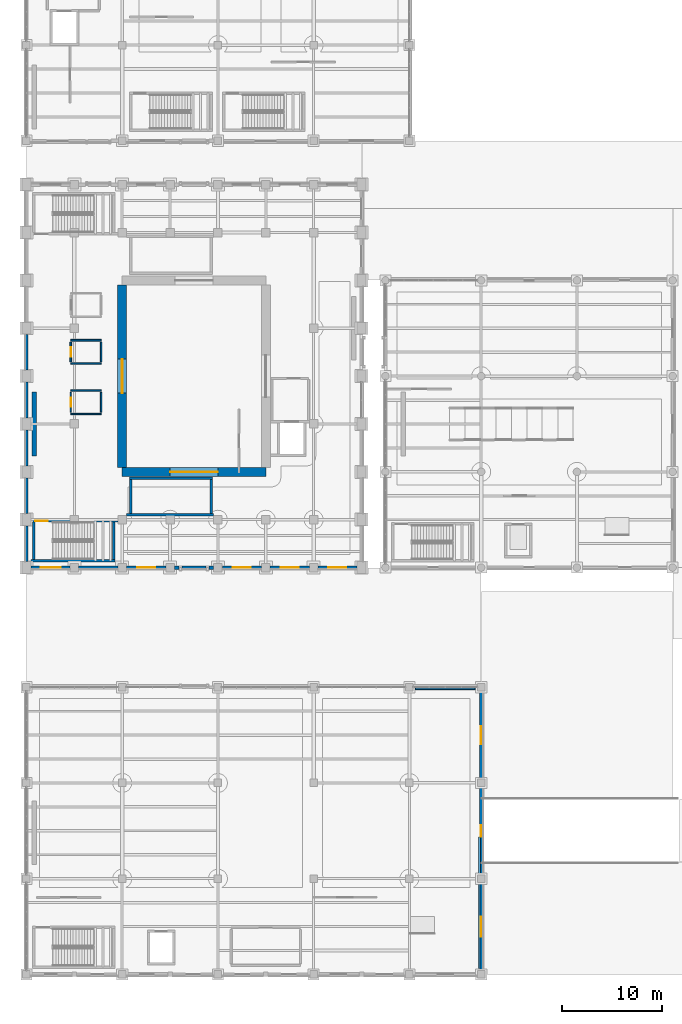
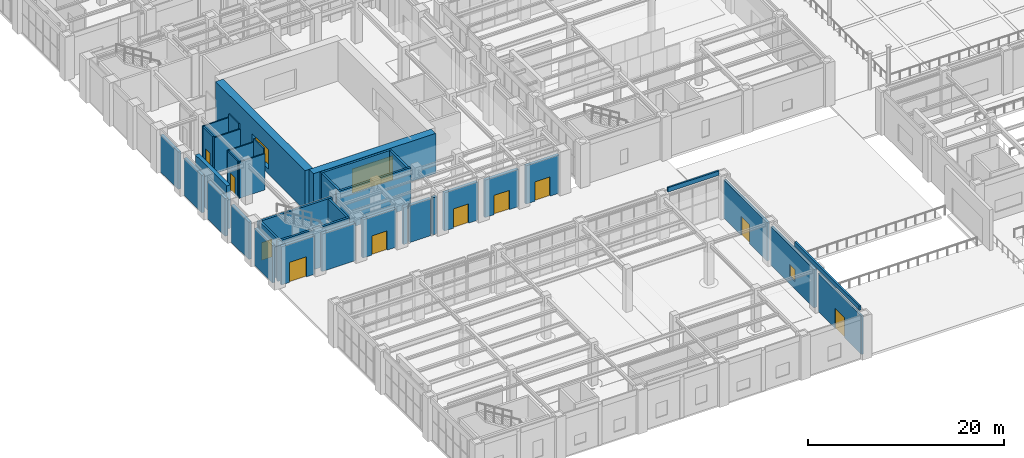
# One storey, part 129 of 164: 38 walls, 10 doors, 3 windows, 13 openings.
"""IFC4 building model written with IfcOpenShell, lengths in metres."""

from ifc_helpers import new_model, si_unit, direction, frame, frame_2d, origin, place, context, subcontext, project, spatial, rectangle, extrude, material, layer, layer_set, type_object, element, fill, save


model = new_model("IFC4")

# Units and contexts
model_context = context("Model", 3, precision=1e-05, world=origin(), true_north=direction((0.0, 1.0)))
body_context = subcontext(model_context, "Body", "Model", "MODEL_VIEW")
ifc_project = project(units=[si_unit("LENGTHUNIT", "METRE"), si_unit("AREAUNIT", "SQUARE_METRE"), si_unit("VOLUMEUNIT", "CUBIC_METRE"), si_unit("PLANEANGLEUNIT", "RADIAN"), si_unit("MASSUNIT", "GRAM", prefix="KILO")], contexts=[model_context])

# Site, building, storey
site_placement = place(None, origin())
site = spatial("IfcSite", under=ifc_project, at=site_placement, CompositionType="ELEMENT")
building_placement = place(site_placement, origin())
building = spatial("IfcBuilding", under=site, at=building_placement, Name="Mavantir Sound Aquarium", CompositionType="ELEMENT")
storey_placement = place(building_placement, origin())
storey = spatial("IfcBuildingStorey", under=building, at=storey_placement, Name="L00", CompositionType="ELEMENT", Elevation=0.0)

# Wall, opening, door
ifc_material_1 = material(Name="Coral-Buff Architectural Precast Concrete C40/50", Category="concrete")
ifc_layer_1 = layer(ifc_material_1, 0.31005859375, Name="Coral-Buff Architectural Precast Concrete C40/50")
ifc_layer_set_1 = layer_set([ifc_layer_1], Name="Coral-Buff Architectural Precast Concrete C40/50")
wall_type_1 = type_object("IfcWallType", Name="EW-CORAL-310", PredefinedType="SOLIDWALL", material=ifc_layer_set_1)
wall_1_placement = place(storey_placement, frame((45.60009765625, 19.5830078125, 0.0), z_axis=(0.0, 0.0, 1.0), x_axis=(0.0, 1.0, 0.0)))
wall_1 = element("IfcWall", 1, at=wall_1_placement, inside=storey, type_object=wall_type_1, Name="L00 exterior facade wall EW-02 74", PredefinedType="SOLIDWALL", context=body_context, shape_type="SweptSolid", body=[
    extrude(rectangle(XDim=8.833984375, YDim=0.31005859375, at=frame_2d((4.4169921875, 0.0))), origin(), (0.0, 0.0, 1.0), 4.778076171875),
])
opening_1_placement = place(wall_1_placement, frame((5.317138671875, 0.0, 0.0), z_axis=(0.0, 0.0, 1.0), x_axis=(-1.0, 0.0, 0.0)))
opening_1 = element("IfcOpeningElement", 2, at=opening_1_placement, cuts=wall_1, Name="Opening EXD-02", PredefinedType="OPENING", context=body_context, shape_type="SweptSolid", body=[
    extrude(rectangle(XDim=1.800048828125, YDim=2.39990234375, at=frame_2d((0.89990234375, 1.199951171875))), frame((0.0, 0.1650390625, 0.0), z_axis=(0.0, -1.0, 0.0), x_axis=(1.0, 0.0, 0.0)), (0.0, 0.0, 1.0), 0.330078125),
])
ifc_material_2 = material(Name="Marine-Grade Anodised Aluminium and Laminated Glass", Category="aluminium")
door_type_1 = type_object("IfcDoorType", Name="DR-EX-180", OperationType="NOTDEFINED", PredefinedType="DOOR", material=ifc_material_2)
door_1_placement = place(opening_1_placement, origin())
door_1 = element("IfcDoor", 3, at=door_1_placement, inside=storey, type_object=door_type_1, Name="V3 east apron exit door APRON-N1", OperationType="DOUBLE_DOOR_SINGLE_SWING", OverallHeight=2.39990234375, OverallWidth=1.800048828125, PredefinedType="DOOR", context=body_context, shape_type="SweptSolid", body=[
    extrude(rectangle(XDim=1.800048828125, YDim=2.39990234375, at=frame_2d((0.89990234375, 1.199951171875))), frame((0.0, 0.02490234375, 0.0), z_axis=(0.0, -1.0, 0.0), x_axis=(1.0, 0.0, 0.0)), (0.0, 0.0, 1.0), 0.050048828125),
])
fill(opening_1, door_1)

# Walls
ifc_layer_2 = layer(ifc_material_1, 0.340087890625, Name="Coral-Buff Architectural Precast Concrete C40/50")
ifc_layer_set_2 = layer_set([ifc_layer_2], Name="Coral-Buff Architectural Precast Concrete C40/50")
wall_type_2 = type_object("IfcWallType", Name="EW-CORAL-340", PredefinedType="SOLIDWALL", material=ifc_layer_set_2)
for number, where, z_axis, x_axis, name in (
    (4, (0.0, 64.19189453125, 0.0), (0.0, 0.0, 1.0), (0.0, -1.0, 0.0), "L00 exterior facade wall EW-01 49"),
    (5, (0.0, 59.39208984375, 0.0), (0.0, 0.0, 1.0), (0.0, -1.0, 0.0), "L00 exterior facade wall EW-01 50"),
    (6, (0.0, 54.592041015625, 0.0), (0.0, 0.0, 1.0), (0.0, -1.0, 0.0), "L00 exterior facade wall EW-01 51"),
    (7, (0.0, 49.7919921875, 0.0), (0.0, 0.0, 1.0), (0.0, -1.0, 0.0), "L00 exterior facade wall EW-01 52"),
    (8, (0.0, 44.991943359375, 0.0), (0.0, 0.0, 1.0), (0.0, -1.0, 0.0), "L00 exterior facade wall EW-01 53"),
):
    element("IfcWall", number, at=place(storey_placement, frame(where, z_axis=z_axis, x_axis=x_axis)), inside=storey, type_object=wall_type_2, Name=name, PredefinedType="SOLIDWALL", context=body_context, shape_type="SweptSolid", body=[
        extrude(rectangle(XDim=3.583984375, YDim=0.340087890625, at=frame_2d((1.7919921875, 0.0))), origin(), (0.0, 0.0, 1.0), 4.657958984375),
    ])

# Wall, opening, door
wall_2_placement = place(storey_placement, frame((0.4580078125, 40.800048828125, 0.0), z_axis=(0.0, 0.0, 1.0), x_axis=(1.0, 0.0, 0.0)))
wall_2 = element("IfcWall", 9, at=wall_2_placement, inside=storey, type_object=wall_type_2, Name="L00 exterior facade wall EW-01 54", PredefinedType="SOLIDWALL", context=body_context, shape_type="SweptSolid", body=[
    extrude(rectangle(XDim=3.908935546875, YDim=0.340087890625, at=frame_2d((1.95458984375, 0.0))), origin(), (0.0, 0.0, 1.0), 4.762939453125),
])
opening_2_placement = place(wall_2_placement, frame((2.95458984375, 0.0, 0.0), z_axis=(0.0, 0.0, 1.0), x_axis=(-1.0, 0.0, 0.0)))
opening_2 = element("IfcOpeningElement", 10, at=opening_2_placement, cuts=wall_2, Name="Opening EXD-01", PredefinedType="OPENING", context=body_context, shape_type="SweptSolid", body=[
    extrude(rectangle(XDim=2.0, YDim=2.5, at=frame_2d((1.0, 1.25))), frame((0.0, 0.18017578125, 0.0), z_axis=(0.0, -1.0, 0.0), x_axis=(1.0, 0.0, 0.0)), (0.0, 0.0, 1.0), 0.360107421875),
])
door_type_2 = type_object("IfcDoorType", Name="DR-EX-200", OperationType="NOTDEFINED", PredefinedType="DOOR", material=ifc_material_2)
door_2_placement = place(opening_2_placement, origin())
door_2 = element("IfcDoor", 11, at=door_2_placement, inside=storey, type_object=door_type_2, Name="Final exit door EX-01 (V1 ST1 discharge)", OperationType="DOUBLE_DOOR_SINGLE_SWING", OverallHeight=2.5, OverallWidth=2.0, PredefinedType="DOOR", context=body_context, shape_type="SweptSolid", body=[
    extrude(rectangle(XDim=2.0, YDim=2.5, at=frame_2d((1.0, 1.25))), frame((0.0, 0.02490234375, 0.0), z_axis=(0.0, -1.0, 0.0), x_axis=(1.0, 0.0, 0.0)), (0.0, 0.0, 1.0), 0.050048828125),
])
fill(opening_2, door_2)

# Wall
wall_3_placement = place(storey_placement, frame((5.23291015625, 40.800048828125, 0.0), z_axis=(0.0, 0.0, 1.0), x_axis=(1.0, 0.0, 0.0)))
element("IfcWall", 12, at=wall_3_placement, inside=storey, type_object=wall_type_2, Name="L00 exterior facade wall EW-01 55", PredefinedType="SOLIDWALL", context=body_context, shape_type="SweptSolid", body=[
    extrude(rectangle(XDim=3.93408203125, YDim=0.340087890625, at=frame_2d((1.967041015625, 0.0))), origin(), (0.0, 0.0, 1.0), 4.657958984375),
])

# Wall, opening, door
wall_4_placement = place(storey_placement, frame((10.032958984375, 40.800048828125, 0.0), z_axis=(0.0, 0.0, 1.0), x_axis=(1.0, 0.0, 0.0)))
wall_4 = element("IfcWall", 13, at=wall_4_placement, inside=storey, type_object=wall_type_2, Name="L00 exterior facade wall EW-01 56", PredefinedType="SOLIDWALL", context=body_context, shape_type="SweptSolid", body=[
    extrude(rectangle(XDim=3.93408203125, YDim=0.340087890625, at=frame_2d((1.967041015625, 0.0))), origin(), (0.0, 0.0, 1.0), 4.762939453125),
])
opening_3_placement = place(wall_4_placement, frame((2.866943359375, 0.0, 0.0), z_axis=(0.0, 0.0, 1.0), x_axis=(-1.0, 0.0, 0.0)))
opening_3 = element("IfcOpeningElement", 14, at=opening_3_placement, cuts=wall_4, Name="Opening EXD-02", PredefinedType="OPENING", context=body_context, shape_type="SweptSolid", body=[
    extrude(rectangle(XDim=1.800048828125, YDim=2.39990234375, at=frame_2d((0.89990234375, 1.199951171875))), frame((0.0, 0.18017578125, 0.0), z_axis=(0.0, -1.0, 0.0), x_axis=(1.0, 0.0, 0.0)), (0.0, 0.0, 1.0), 0.360107421875),
])
door_3_placement = place(opening_3_placement, origin())
door_3 = element("IfcDoor", 15, at=door_3_placement, inside=storey, type_object=door_type_1, Name="Final exit door EX-17 (V1)", OperationType="DOUBLE_DOOR_SINGLE_SWING", OverallHeight=2.39990234375, OverallWidth=1.800048828125, PredefinedType="DOOR", context=body_context, shape_type="SweptSolid", body=[
    extrude(rectangle(XDim=1.800048828125, YDim=2.39990234375, at=frame_2d((0.89990234375, 1.199951171875))), frame((0.0, 0.02490234375, 0.0), z_axis=(0.0, -1.0, 0.0), x_axis=(1.0, 0.0, 0.0)), (0.0, 0.0, 1.0), 0.050048828125),
])
fill(opening_3, door_3)

# Walls
wall_5_placement = place(storey_placement, frame((14.8330078125, 40.800048828125, 0.0), z_axis=(0.0, 0.0, 1.0), x_axis=(1.0, 0.0, 0.0)))
element("IfcWall", 16, at=wall_5_placement, inside=storey, type_object=wall_type_2, Name="L00 exterior facade wall EW-01 57", PredefinedType="SOLIDWALL", context=body_context, shape_type="SweptSolid", body=[
    extrude(rectangle(XDim=0.48388671875, YDim=0.340087890625, at=frame_2d((0.241943359375, 0.0))), origin(), (0.0, 0.0, 1.0), 4.62109375),
])
wall_6_placement = place(storey_placement, frame((15.5830078125, 40.800048828125, 0.0), z_axis=(0.0, 0.0, 1.0), x_axis=(1.0, 0.0, 0.0)))
element("IfcWall", 17, at=wall_6_placement, inside=storey, type_object=wall_type_2, Name="L00 exterior facade wall EW-01 58", PredefinedType="SOLIDWALL", context=body_context, shape_type="SweptSolid", body=[
    extrude(rectangle(XDim=2.43408203125, YDim=0.340087890625, at=frame_2d((1.217041015625, 0.0))), origin(), (0.0, 0.0, 1.0), 4.62109375),
])
wall_7_placement = place(storey_placement, frame((18.282958984375, 40.800048828125, 0.0), z_axis=(0.0, 0.0, 1.0), x_axis=(1.0, 0.0, 0.0)))
element("IfcWall", 18, at=wall_7_placement, inside=storey, type_object=wall_type_2, Name="L00 exterior facade wall EW-01 59", PredefinedType="SOLIDWALL", context=body_context, shape_type="SweptSolid", body=[
    extrude(rectangle(XDim=0.484130859375, YDim=0.340087890625, at=frame_2d((0.2421875, 0.0))), origin(), (0.0, 0.0, 1.0), 4.62109375),
])

# Wall, opening, door
wall_8_placement = place(storey_placement, frame((19.633056640625, 40.800048828125, 0.0), z_axis=(0.0, 0.0, 1.0), x_axis=(1.0, 0.0, 0.0)))
wall_8 = element("IfcWall", 19, at=wall_8_placement, inside=storey, type_object=wall_type_2, Name="L00 exterior facade wall EW-01 60", PredefinedType="SOLIDWALL", context=body_context, shape_type="SweptSolid", body=[
    extrude(rectangle(XDim=3.933837890625, YDim=0.340087890625, at=frame_2d((1.966796875, 0.0))), origin(), (0.0, 0.0, 1.0), 4.762939453125),
])
opening_4_placement = place(wall_8_placement, frame((2.866943359375, 0.0, 0.0), z_axis=(0.0, 0.0, 1.0), x_axis=(-1.0, 0.0, 0.0)))
opening_4 = element("IfcOpeningElement", 20, at=opening_4_placement, cuts=wall_8, Name="Opening EXD-02", PredefinedType="OPENING", context=body_context, shape_type="SweptSolid", body=[
    extrude(rectangle(XDim=1.800048828125, YDim=2.39990234375, at=frame_2d((0.89990234375, 1.199951171875))), frame((0.0, 0.18017578125, 0.0), z_axis=(0.0, -1.0, 0.0), x_axis=(1.0, 0.0, 0.0)), (0.0, 0.0, 1.0), 0.360107421875),
])
door_4_placement = place(opening_4_placement, origin())
door_4 = element("IfcDoor", 21, at=door_4_placement, inside=storey, type_object=door_type_1, Name="Final exit door EX-18 (V1)", OperationType="DOUBLE_DOOR_SINGLE_SWING", OverallHeight=2.39990234375, OverallWidth=1.800048828125, PredefinedType="DOOR", context=body_context, shape_type="SweptSolid", body=[
    extrude(rectangle(XDim=1.800048828125, YDim=2.39990234375, at=frame_2d((0.89990234375, 1.199951171875))), frame((0.0, 0.02490234375, 0.0), z_axis=(0.0, -1.0, 0.0), x_axis=(1.0, 0.0, 0.0)), (0.0, 0.0, 1.0), 0.050048828125),
])
fill(opening_4, door_4)

wall_9_placement = place(storey_placement, frame((24.43310546875, 40.800048828125, 0.0), z_axis=(0.0, 0.0, 1.0), x_axis=(1.0, 0.0, 0.0)))
wall_9 = element("IfcWall", 22, at=wall_9_placement, inside=storey, type_object=wall_type_2, Name="L00 exterior facade wall EW-01 61", PredefinedType="SOLIDWALL", context=body_context, shape_type="SweptSolid", body=[
    extrude(rectangle(XDim=3.933837890625, YDim=0.340087890625, at=frame_2d((1.966796875, 0.0))), origin(), (0.0, 0.0, 1.0), 4.657958984375),
])
opening_5_placement = place(wall_9_placement, frame((2.866943359375, 0.0, 0.0), z_axis=(0.0, 0.0, 1.0), x_axis=(-1.0, 0.0, 0.0)))
opening_5 = element("IfcOpeningElement", 23, at=opening_5_placement, cuts=wall_9, Name="Opening EXD-02", PredefinedType="OPENING", context=body_context, shape_type="SweptSolid", body=[
    extrude(rectangle(XDim=1.800048828125, YDim=2.39990234375, at=frame_2d((0.89990234375, 1.199951171875))), frame((0.0, 0.18017578125, 0.0), z_axis=(0.0, -1.0, 0.0), x_axis=(1.0, 0.0, 0.0)), (0.0, 0.0, 1.0), 0.360107421875),
])
door_5_placement = place(opening_5_placement, origin())
door_5 = element("IfcDoor", 24, at=door_5_placement, inside=storey, type_object=door_type_1, Name="Final exit door EX-19 (V1)", OperationType="DOUBLE_DOOR_SINGLE_SWING", OverallHeight=2.39990234375, OverallWidth=1.800048828125, PredefinedType="DOOR", context=body_context, shape_type="SweptSolid", body=[
    extrude(rectangle(XDim=1.800048828125, YDim=2.39990234375, at=frame_2d((0.89990234375, 1.199951171875))), frame((0.0, 0.02490234375, 0.0), z_axis=(0.0, -1.0, 0.0), x_axis=(1.0, 0.0, 0.0)), (0.0, 0.0, 1.0), 0.050048828125),
])
fill(opening_5, door_5)

wall_10_placement = place(storey_placement, frame((29.23291015625, 40.800048828125, 0.0), z_axis=(0.0, 0.0, 1.0), x_axis=(1.0, 0.0, 0.0)))
wall_10 = element("IfcWall", 25, at=wall_10_placement, inside=storey, type_object=wall_type_2, Name="L00 exterior facade wall EW-01 62", PredefinedType="SOLIDWALL", context=body_context, shape_type="SweptSolid", body=[
    extrude(rectangle(XDim=3.9091796875, YDim=0.340087890625, at=frame_2d((1.95458984375, 0.0))), origin(), (0.0, 0.0, 1.0), 4.762939453125),
])
opening_6_placement = place(wall_10_placement, frame((2.8544921875, 0.0, 0.0), z_axis=(0.0, 0.0, 1.0), x_axis=(-1.0, 0.0, 0.0)))
opening_6 = element("IfcOpeningElement", 26, at=opening_6_placement, cuts=wall_10, Name="Opening EXD-02", PredefinedType="OPENING", context=body_context, shape_type="SweptSolid", body=[
    extrude(rectangle(XDim=1.800048828125, YDim=2.39990234375, at=frame_2d((0.89990234375, 1.199951171875))), frame((0.0, 0.18017578125, 0.0), z_axis=(0.0, -1.0, 0.0), x_axis=(1.0, 0.0, 0.0)), (0.0, 0.0, 1.0), 0.360107421875),
])
door_6_placement = place(opening_6_placement, origin())
door_6 = element("IfcDoor", 27, at=door_6_placement, inside=storey, type_object=door_type_1, Name="Final exit door EX-20 (V1)", OperationType="DOUBLE_DOOR_SINGLE_SWING", OverallHeight=2.39990234375, OverallWidth=1.800048828125, PredefinedType="DOOR", context=body_context, shape_type="SweptSolid", body=[
    extrude(rectangle(XDim=1.800048828125, YDim=2.39990234375, at=frame_2d((0.89990234375, 1.199951171875))), frame((0.0, 0.02490234375, 0.0), z_axis=(0.0, -1.0, 0.0), x_axis=(1.0, 0.0, 0.0)), (0.0, 0.0, 1.0), 0.050048828125),
])
fill(opening_6, door_6)

# Wall, opening, window
wall_11_placement = place(storey_placement, frame((45.60009765625, 9.98291015625, 0.0), z_axis=(0.0, 0.0, 1.0), x_axis=(0.0, 1.0, 0.0)))
wall_11 = element("IfcWall", 28, at=wall_11_placement, inside=storey, type_object=wall_type_2, Name="L00 exterior facade wall EW-01 73", PredefinedType="SOLIDWALL", context=body_context, shape_type="SweptSolid", body=[
    extrude(rectangle(XDim=8.833984375, YDim=0.340087890625, at=frame_2d((4.4169921875, 0.0))), origin(), (0.0, 0.0, 1.0), 4.778076171875),
])
opening_7_placement = place(wall_11_placement, frame((3.842041015625, 0.0, 0.949951171875)))
opening_7 = element("IfcOpeningElement", 29, at=opening_7_placement, cuts=wall_11, Name="Opening W-06", PredefinedType="OPENING", context=body_context, shape_type="SweptSolid", body=[
    extrude(rectangle(XDim=1.14990234375, YDim=1.5, at=frame_2d((0.574951171875, 0.75))), frame((0.0, 0.18017578125, 0.0), z_axis=(0.0, -1.0, 0.0), x_axis=(1.0, 0.0, 0.0)), (0.0, 0.0, 1.0), 0.360107421875),
])
ifc_material_3 = material(Name="Thermally Broken Aluminium and Low-E Glass", Category="aluminium")
window_type_1 = type_object("IfcWindowType", Name="WIN-EXT-06", PartitioningType="SINGLE_PANEL", PredefinedType="WINDOW", material=ifc_material_3)
window_1_placement = place(opening_7_placement, origin())
window_1 = element("IfcWindow", 30, at=window_1_placement, inside=storey, type_object=window_type_1, Name="L00 facade window W-06 6", OverallHeight=1.5, OverallWidth=1.14990234375, PartitioningType="SINGLE_PANEL", PredefinedType="WINDOW", context=body_context, shape_type="SweptSolid", body=[
    extrude(rectangle(XDim=1.14990234375, YDim=1.5, at=frame_2d((0.574951171875, 0.75))), frame((0.0, 0.030029296875, 0.0), z_axis=(0.0, -1.0, 0.0), x_axis=(1.0, 0.0, 0.0)), (0.0, 0.0, 1.0), 0.06005859375),
])
fill(opening_7, window_1)

# Walls
ifc_material_4 = material(Name="Architectural Precast Concrete C40/50", Category="concrete")
ifc_layer_3 = layer(ifc_material_4, 0.18994140625, Name="Architectural Precast Concrete C40/50")
ifc_layer_set_3 = layer_set([ifc_layer_3], Name="Architectural Precast Concrete C40/50")
wall_type_3 = type_object("IfcWallType", Name="EW-PAR-190", PredefinedType="PARAPET", material=ifc_layer_set_3)
wall_12_placement = place(storey_placement, frame((39.0, 28.64990234375, 5.39990234375), z_axis=(0.0, 0.0, 1.0), x_axis=(1.0, 0.0, 0.0)))
element("IfcWall", 31, at=wall_12_placement, inside=storey, type_object=wall_type_3, Name="Roof gravel-stop parapet 2A", PredefinedType="PARAPET", context=body_context, shape_type="SweptSolid", body=[
    extrude(rectangle(XDim=6.0, YDim=0.18994140625, at=frame_2d((3.0, 0.0))), origin(), (0.0, 0.0, 1.0), 0.550048828125),
])
ifc_layer_4 = layer(ifc_material_1, 0.2099609375, Name="Coral-Buff Architectural Precast Concrete C40/50")
ifc_layer_set_4 = layer_set([ifc_layer_4], Name="Coral-Buff Architectural Precast Concrete C40/50")
wall_type_4 = type_object("IfcWallType", Name="EW-PAR-210", PredefinedType="PARAPET", material=ifc_layer_set_4)
wall_13_placement = place(storey_placement, frame((45.449951171875, 0.60009765625, 5.39990234375), z_axis=(0.0, 0.0, 1.0), x_axis=(0.0, 1.0, 0.0)))
element("IfcWall", 32, at=wall_13_placement, inside=storey, type_object=wall_type_4, Name="Roof gravel-stop parapet 1A", PredefinedType="PARAPET", context=body_context, shape_type="SweptSolid", body=[
    extrude(rectangle(XDim=13.199951171875, YDim=0.2099609375, at=frame_2d((6.60009765625, 0.0))), origin(), (0.0, 0.0, 1.0), 0.550048828125),
])

# Wall, opening, door
ifc_layer_5 = layer(ifc_material_4, 0.239990234375, Name="Architectural Precast Concrete C40/50")
ifc_layer_set_5 = layer_set([ifc_layer_5], Name="Architectural Precast Concrete C40/50")
wall_type_5 = type_object("IfcWallType", Name="EW-PRE-240", PredefinedType="SOLIDWALL", material=ifc_layer_set_5)
wall_14_placement = place(storey_placement, frame((45.60009765625, 0.383056640625, 0.0), z_axis=(0.0, 0.0, 1.0), x_axis=(0.0, 1.0, 0.0)))
wall_14 = element("IfcWall", 33, at=wall_14_placement, inside=storey, type_object=wall_type_5, Name="L00 exterior facade wall EW-06 72", PredefinedType="SOLIDWALL", context=body_context, shape_type="SweptSolid", body=[
    extrude(rectangle(XDim=8.833984375, YDim=0.239990234375, at=frame_2d((4.4169921875, 0.0))), origin(), (0.0, 0.0, 1.0), 4.778076171875),
])
opening_8_placement = place(wall_14_placement, frame((5.4169921875, 0.0, 0.0), z_axis=(0.0, 0.0, 1.0), x_axis=(-1.0, 0.0, 0.0)))
opening_8 = element("IfcOpeningElement", 34, at=opening_8_placement, cuts=wall_14, Name="Opening EXD-01", PredefinedType="OPENING", context=body_context, shape_type="SweptSolid", body=[
    extrude(rectangle(XDim=2.0, YDim=2.5, at=frame_2d((1.0, 1.25))), frame((0.0, 0.1298828125, 0.0), z_axis=(0.0, -1.0, 0.0), x_axis=(1.0, 0.0, 0.0)), (0.0, 0.0, 1.0), 0.260009765625),
])
door_7_placement = place(opening_8_placement, origin())
door_7 = element("IfcDoor", 35, at=door_7_placement, inside=storey, type_object=door_type_2, Name="Final exit door EX-03 (V3 ST3 discharge)", OperationType="DOUBLE_DOOR_SINGLE_SWING", OverallHeight=2.5, OverallWidth=2.0, PredefinedType="DOOR", context=body_context, shape_type="SweptSolid", body=[
    extrude(rectangle(XDim=2.0, YDim=2.5, at=frame_2d((1.0, 1.25))), frame((0.0, 0.02490234375, 0.0), z_axis=(0.0, -1.0, 0.0), x_axis=(1.0, 0.0, 0.0)), (0.0, 0.0, 1.0), 0.050048828125),
])
fill(opening_8, door_7)

# Walls
ifc_material_5 = material(Name="Moisture-Resistant Marine Gypsum Partition", Category="gypsum")
ifc_layer_6 = layer(ifc_material_5, 0.139892578125, Name="Moisture-Resistant Marine Gypsum Partition")
ifc_layer_set_6 = layer_set([ifc_layer_6], Name="Moisture-Resistant Marine Gypsum Partition")
wall_type_6 = type_object("IfcWallType", Name="IW-PART-140", PredefinedType="PARTITIONING", material=ifc_layer_set_6)
for number, where, z_axis, x_axis, name in (
    (36, (4.43994140625, 58.550048828125, 0.0), (0.0, 0.0, 1.0), (1.0, 0.0, 0.0), "L00 L00 Mens WC partition N"),
    (37, (4.43994140625, 56.199951171875, 0.0), (0.0, 0.0, 1.0), (1.0, 0.0, 0.0), "L00 L00 Mens WC partition S"),
):
    element("IfcWall", number, at=place(storey_placement, frame(where, z_axis=z_axis, x_axis=x_axis)), inside=storey, type_object=wall_type_6, Name=name, PredefinedType="PARTITIONING", context=body_context, shape_type="SweptSolid", body=[
        extrude(rectangle(XDim=3.0400390625, YDim=0.139892578125, at=frame_2d((1.52001953125, 0.0))), origin(), (0.0, 0.0, 1.0), 4.4970703125),
    ])

# Wall, opening, door
wall_15_placement = place(storey_placement, frame((4.43994140625, 56.3798828125, 0.0), z_axis=(0.0, 0.0, 1.0), x_axis=(0.0, 1.0, 0.0)))
wall_15 = element("IfcWall", 38, at=wall_15_placement, inside=storey, type_object=wall_type_6, Name="L00 L00 Mens WC partition W", PredefinedType="PARTITIONING", context=body_context, shape_type="SweptSolid", body=[
    extrude(rectangle(XDim=1.990234375, YDim=0.139892578125, at=frame_2d((0.9951171875, 0.0))), origin(), (0.0, 0.0, 1.0), 4.4970703125),
])
opening_9_placement = place(wall_15_placement, frame((0.534912109375, 0.0, 0.0)))
opening_9 = element("IfcOpeningElement", 39, at=opening_9_placement, cuts=wall_15, Name="Opening ID-01", PredefinedType="OPENING", context=body_context, shape_type="SweptSolid", body=[
    extrude(rectangle(XDim=0.919921875, YDim=2.1201171875, at=frame_2d((0.4599609375, 1.06005859375))), frame((0.0, 0.080078125, 0.0), z_axis=(0.0, -1.0, 0.0), x_axis=(1.0, 0.0, 0.0)), (0.0, 0.0, 1.0), 0.159912109375),
])
ifc_material_6 = material(Name="Solid-Core Marine Hardwood and Vision-Panel Door", Category="wood")
door_type_3 = type_object("IfcDoorType", Name="DR-INT-01", OperationType="NOTDEFINED", PredefinedType="DOOR", material=ifc_material_6)
door_8_placement = place(opening_9_placement, origin())
door_8 = element("IfcDoor", 40, at=door_8_placement, inside=storey, type_object=door_type_3, Name="L00 Mens WC entrance door", OperationType="SINGLE_SWING_RIGHT", OverallHeight=2.1201171875, OverallWidth=0.919921875, PredefinedType="DOOR", context=body_context, shape_type="SweptSolid", body=[
    extrude(rectangle(XDim=0.919921875, YDim=2.1201171875, at=frame_2d((0.4599609375, 1.06005859375))), frame((0.0, 0.02490234375, 0.0), z_axis=(0.0, -1.0, 0.0), x_axis=(1.0, 0.0, 0.0)), (0.0, 0.0, 1.0), 0.050048828125),
])
fill(opening_9, door_8)

# Walls
wall_16_placement = place(storey_placement, frame((7.47998046875, 56.3798828125, 0.0), z_axis=(0.0, 0.0, 1.0), x_axis=(0.0, 1.0, 0.0)))
element("IfcWall", 41, at=wall_16_placement, inside=storey, type_object=wall_type_6, Name="L00 L00 Mens WC partition E", PredefinedType="PARTITIONING", context=body_context, shape_type="SweptSolid", body=[
    extrude(rectangle(XDim=1.990234375, YDim=0.139892578125, at=frame_2d((0.9951171875, 0.0))), origin(), (0.0, 0.0, 1.0), 5.0400390625),
])
ifc_material_7 = material(Name="Acoustic Metal-Stud Gypsum Partition", Category="gypsum")
ifc_layer_7 = layer(ifc_material_7, 0.159912109375, Name="Acoustic Metal-Stud Gypsum Partition")
ifc_layer_set_7 = layer_set([ifc_layer_7], Name="Acoustic Metal-Stud Gypsum Partition")
wall_type_7 = type_object("IfcWallType", Name="IW-PART-160", PredefinedType="PARTITIONING", material=ifc_layer_set_7)
for number, where, z_axis, x_axis, name in (
    (42, (4.43994140625, 63.60009765625, 0.0), (0.0, 0.0, 1.0), (1.0, 0.0, 0.0), "L00 L00 Womens WC partition N"),
    (43, (4.43994140625, 61.25, 0.0), (0.0, 0.0, 1.0), (1.0, 0.0, 0.0), "L00 L00 Womens WC partition S"),
):
    element("IfcWall", number, at=place(storey_placement, frame(where, z_axis=z_axis, x_axis=x_axis)), inside=storey, type_object=wall_type_7, Name=name, PredefinedType="PARTITIONING", context=body_context, shape_type="SweptSolid", body=[
        extrude(rectangle(XDim=3.0400390625, YDim=0.159912109375, at=frame_2d((1.52001953125, 0.0))), origin(), (0.0, 0.0, 1.0), 4.4970703125),
    ])

# Wall, opening, door
wall_17_placement = place(storey_placement, frame((4.43994140625, 61.429931640625, 0.0), z_axis=(0.0, 0.0, 1.0), x_axis=(0.0, 1.0, 0.0)))
wall_17 = element("IfcWall", 44, at=wall_17_placement, inside=storey, type_object=wall_type_7, Name="L00 L00 Womens WC partition W", PredefinedType="PARTITIONING", context=body_context, shape_type="SweptSolid", body=[
    extrude(rectangle(XDim=1.989990234375, YDim=0.159912109375, at=frame_2d((0.9951171875, 0.0))), origin(), (0.0, 0.0, 1.0), 4.4970703125),
])
opening_10_placement = place(wall_17_placement, frame((0.534912109375, 0.0, 0.0)))
opening_10 = element("IfcOpeningElement", 45, at=opening_10_placement, cuts=wall_17, Name="Opening ID-01", PredefinedType="OPENING", context=body_context, shape_type="SweptSolid", body=[
    extrude(rectangle(XDim=0.919921875, YDim=2.1201171875, at=frame_2d((0.4599609375, 1.06005859375))), frame((0.0, 0.08984375, 0.0), z_axis=(0.0, -1.0, 0.0), x_axis=(1.0, 0.0, 0.0)), (0.0, 0.0, 1.0), 0.179931640625),
])
door_9_placement = place(opening_10_placement, origin())
door_9 = element("IfcDoor", 46, at=door_9_placement, inside=storey, type_object=door_type_3, Name="L00 Womens WC entrance door", OperationType="SINGLE_SWING_LEFT", OverallHeight=2.1201171875, OverallWidth=0.919921875, PredefinedType="DOOR", context=body_context, shape_type="SweptSolid", body=[
    extrude(rectangle(XDim=0.919921875, YDim=2.1201171875, at=frame_2d((0.4599609375, 1.06005859375))), frame((0.0, 0.02490234375, 0.0), z_axis=(0.0, -1.0, 0.0), x_axis=(1.0, 0.0, 0.0)), (0.0, 0.0, 1.0), 0.050048828125),
])
fill(opening_10, door_9)

# Walls
wall_18_placement = place(storey_placement, frame((7.47998046875, 61.429931640625, 0.0), z_axis=(0.0, 0.0, 1.0), x_axis=(0.0, 1.0, 0.0)))
element("IfcWall", 47, at=wall_18_placement, inside=storey, type_object=wall_type_7, Name="L00 L00 Womens WC partition E", PredefinedType="PARTITIONING", context=body_context, shape_type="SweptSolid", body=[
    extrude(rectangle(XDim=1.989990234375, YDim=0.159912109375, at=frame_2d((0.9951171875, 0.0))), origin(), (0.0, 0.0, 1.0), 5.0400390625),
])
ifc_material_8 = material(Name="Concrete C40/50", Category="concrete")
ifc_layer_8 = layer(ifc_material_8, 0.25, Name="Concrete C40/50")
ifc_layer_set_8 = layer_set([ifc_layer_8], Name="Concrete C40/50")
wall_type_8 = type_object("IfcWallType", Name="IW-SHAFT-250", PredefinedType="SHEAR", material=ifc_layer_set_8)
wall_19_placement = place(storey_placement, frame((0.449951171875, 41.47509765625, 0.0), z_axis=(0.0, 0.0, 1.0), x_axis=(1.0, 0.0, 0.0)))
element("IfcWall", 48, at=wall_19_placement, inside=storey, type_object=wall_type_8, Name="L00 stair ST1 shaft wall S", PredefinedType="SHEAR", context=body_context, shape_type="SweptSolid", body=[
    extrude(rectangle(XDim=8.449951171875, YDim=0.25, at=frame_2d((4.22509765625, 0.0))), origin(), (0.0, 0.0, 1.0), 5.0),
])

# Wall, opening, door
wall_20_placement = place(storey_placement, frame((9.175048828125, 45.47509765625, 0.0), z_axis=(0.0, 0.0, 1.0), x_axis=(-1.0, 0.0, 0.0)))
wall_20 = element("IfcWall", 49, at=wall_20_placement, inside=storey, type_object=wall_type_8, Name="L00 stair ST1 shaft wall N", PredefinedType="SHEAR", context=body_context, shape_type="SweptSolid", body=[
    extrude(rectangle(XDim=8.72509765625, YDim=0.25, at=frame_2d((4.362548828125, 0.0))), origin(), (0.0, 0.0, 1.0), 5.0),
])
opening_11_placement = place(wall_20_placement, frame((8.27490234375, 0.0, 0.0), z_axis=(0.0, 0.0, 1.0), x_axis=(-1.0, 0.0, 0.0)))
opening_11 = element("IfcOpeningElement", 50, at=opening_11_placement, cuts=wall_20, Name="Opening SD-01", PredefinedType="OPENING", context=body_context, shape_type="SweptSolid", body=[
    extrude(rectangle(XDim=1.25, YDim=2.199951171875, at=frame_2d((0.625, 1.10009765625))), frame((0.0, 0.135009765625, 0.0), z_axis=(0.0, -1.0, 0.0), x_axis=(1.0, 0.0, 0.0)), (0.0, 0.0, 1.0), 0.27001953125),
])
ifc_material_9 = material(Name="Fire-Rated Steel Acoustic Door Leaf", Category="steel")
door_type_4 = type_object("IfcDoorType", Name="DR-ST-125", OperationType="NOTDEFINED", PredefinedType="DOOR", material=ifc_material_9)
door_10_placement = place(opening_11_placement, origin())
door_10 = element("IfcDoor", 51, at=door_10_placement, inside=storey, type_object=door_type_4, Name="L00 protected exit stair ST1 door", OperationType="SINGLE_SWING_LEFT", OverallHeight=2.199951171875, OverallWidth=1.25, PredefinedType="DOOR", context=body_context, shape_type="SweptSolid", body=[
    extrude(rectangle(XDim=1.25, YDim=2.199951171875, at=frame_2d((0.625, 1.10009765625))), frame((0.0, 0.02490234375, 0.0), z_axis=(0.0, -1.0, 0.0), x_axis=(1.0, 0.0, 0.0)), (0.0, 0.0, 1.0), 0.050048828125),
])
fill(opening_11, door_10)

# Walls
for number, where, z_axis, x_axis, name in (
    (52, (0.72509765625, 45.35009765625, 0.0), (0.0, 0.0, 1.0), (0.0, -1.0, 0.0), "L00 stair ST1 shaft wall W"),
    (53, (8.77490234375, 41.60009765625, 0.0), (0.0, 0.0, 1.0), (0.0, 1.0, 0.0), "L00 stair ST1 shaft wall E"),
):
    element("IfcWall", number, at=place(storey_placement, frame(where, z_axis=z_axis, x_axis=x_axis)), inside=storey, type_object=wall_type_8, Name=name, PredefinedType="SHEAR", context=body_context, shape_type="SweptSolid", body=[
        extrude(rectangle(XDim=3.75, YDim=0.25, at=frame_2d((1.875, 0.0))), origin(), (0.0, 0.0, 1.0), 5.0),
    ])
wall_21_placement = place(storey_placement, frame((10.02490234375, 46.074951171875, 0.0), z_axis=(0.0, 0.0, 1.0), x_axis=(1.0, 0.0, 0.0)))
element("IfcWall", 54, at=wall_21_placement, inside=storey, type_object=wall_type_8, Name="L00 stair ST9 shaft wall S", PredefinedType="SHEAR", context=body_context, shape_type="SweptSolid", body=[
    extrude(rectangle(XDim=8.75, YDim=0.25, at=frame_2d((4.375, 0.0))), origin(), (0.0, 0.0, 1.0), 5.0),
])
wall_22_placement = place(storey_placement, frame((18.64990234375, 49.77490234375, 0.0), z_axis=(0.0, 0.0, 1.0), x_axis=(-1.0, 0.0, 0.0)))
element("IfcWall", 55, at=wall_22_placement, inside=storey, type_object=wall_type_8, Name="L00 stair ST9 shaft wall N", PredefinedType="SHEAR", context=body_context, shape_type="SweptSolid", body=[
    extrude(rectangle(XDim=8.2998046875, YDim=0.25, at=frame_2d((4.14990234375, 0.0))), origin(), (0.0, 0.0, 1.0), 5.0),
])
for number, where, z_axis, x_axis, name in (
    (56, (10.47509765625, 49.64990234375, 0.0), (0.0, 0.0, 1.0), (0.0, -1.0, 0.0), "L00 stair ST9 shaft wall W"),
    (57, (18.52490234375, 46.199951171875, 0.0), (0.0, 0.0, 1.0), (0.0, 1.0, 0.0), "L00 stair ST9 shaft wall E"),
):
    element("IfcWall", number, at=place(storey_placement, frame(where, z_axis=z_axis, x_axis=x_axis)), inside=storey, type_object=wall_type_8, Name=name, PredefinedType="SHEAR", context=body_context, shape_type="SweptSolid", body=[
        extrude(rectangle(XDim=3.449951171875, YDim=0.25, at=frame_2d((1.72509765625, 0.0))), origin(), (0.0, 0.0, 1.0), 5.0),
    ])
ifc_layer_9 = layer(ifc_material_8, 0.449951171875, Name="Concrete C40/50")
ifc_layer_set_9 = layer_set([ifc_layer_9], Name="Concrete C40/50")
wall_type_9 = type_object("IfcWallType", Name="SW-SHR-450", PredefinedType="SHEAR", material=ifc_layer_set_9)
wall_23_placement = place(storey_placement, frame((0.800048828125, 52.0, 0.0), z_axis=(0.0, 0.0, 1.0), x_axis=(0.0, 1.0, 0.0)))
element("IfcWall", 58, at=wall_23_placement, inside=storey, type_object=wall_type_9, Name="L00 special RC shear wall 3 (V1)", PredefinedType="SHEAR", context=body_context, shape_type="SweptSolid", body=[
    extrude(rectangle(XDim=6.39990234375, YDim=0.449951171875, at=frame_2d((3.199951171875, 0.0))), origin(), (0.0, 0.0, 1.0), 5.39990234375),
])

# Wall, opening, window
ifc_material_10 = material(Name="Concrete C45/55", Category="concrete")
ifc_layer_10 = layer(ifc_material_10, 0.89990234375, Name="Concrete C45/55")
ifc_layer_set_10 = layer_set([ifc_layer_10], Name="Concrete C45/55")
wall_type_10 = type_object("IfcWallType", Name="SW-TANK-900", PredefinedType="SOLIDWALL", material=ifc_layer_set_10)
wall_24_placement = place(storey_placement, frame((9.60009765625, 50.39990234375, 0.0), z_axis=(0.0, 0.0, 1.0), x_axis=(1.0, 0.0, 0.0)))
wall_24 = element("IfcWall", 59, at=wall_24_placement, inside=storey, type_object=wall_type_10, Name="L00 Pelagic Ocean Tank wall S", PredefinedType="SOLIDWALL", context=body_context, shape_type="SweptSolid", body=[
    extrude(rectangle(XDim=14.39990234375, YDim=0.89990234375, at=frame_2d((7.199951171875, 0.0))), origin(), (0.0, 0.0, 1.0), 5.0),
])
opening_12_placement = place(wall_24_placement, frame((4.800048828125, 0.0, 0.64990234375)))
opening_12 = element("IfcOpeningElement", 60, at=opening_12_placement, cuts=wall_24, Name="Opening VW-01", PredefinedType="OPENING", context=body_context, shape_type="SweptSolid", body=[
    extrude(rectangle(XDim=4.800048828125, YDim=3.0, at=frame_2d((2.39990234375, 1.5))), frame((0.0, 0.4599609375, 0.0), z_axis=(0.0, -1.0, 0.0), x_axis=(1.0, 0.0, 0.0)), (0.0, 0.0, 1.0), 0.919921875),
])
ifc_material_11 = material(Name="Cast Acrylic PMMA Glazing", Category="glass")
window_type_2 = type_object("IfcWindowType", Name="WIN-VP-01", PartitioningType="SINGLE_PANEL", PredefinedType="WINDOW", material=ifc_material_11)
window_2_placement = place(opening_12_placement, origin())
window_2 = element("IfcWindow", 61, at=window_2_placement, inside=storey, type_object=window_type_2, Name="L00 Pelagic Ocean Tank cast-acrylic viewport 1", OverallHeight=3.0, OverallWidth=4.800048828125, PartitioningType="SINGLE_PANEL", PredefinedType="WINDOW", context=body_context, shape_type="SweptSolid", body=[
    extrude(rectangle(XDim=4.800048828125, YDim=3.0, at=frame_2d((2.39990234375, 1.5))), frame((0.0, 0.030029296875, 0.0), z_axis=(0.0, -1.0, 0.0), x_axis=(1.0, 0.0, 0.0)), (0.0, 0.0, 1.0), 0.06005859375),
])
fill(opening_12, window_2)

wall_25_placement = place(storey_placement, frame((9.60009765625, 69.14990234375, 0.0), z_axis=(0.0, 0.0, 1.0), x_axis=(0.0, -1.0, 0.0)))
wall_25 = element("IfcWall", 62, at=wall_25_placement, inside=storey, type_object=wall_type_10, Name="L00 Pelagic Ocean Tank wall W", PredefinedType="SOLIDWALL", context=body_context, shape_type="SweptSolid", body=[
    extrude(rectangle(XDim=18.2998046875, YDim=0.89990234375, at=frame_2d((9.14990234375, 0.0))), origin(), (0.0, 0.0, 1.0), 5.0),
])
opening_13_placement = place(wall_25_placement, frame((7.449951171875, 0.0, 0.64990234375)))
opening_13 = element("IfcOpeningElement", 63, at=opening_13_placement, cuts=wall_25, Name="Opening VW-04", PredefinedType="OPENING", context=body_context, shape_type="SweptSolid", body=[
    extrude(rectangle(XDim=3.39990234375, YDim=2.39990234375, at=frame_2d((1.699951171875, 1.199951171875))), frame((0.0, 0.4599609375, 0.0), z_axis=(0.0, -1.0, 0.0), x_axis=(1.0, 0.0, 0.0)), (0.0, 0.0, 1.0), 0.919921875),
])
window_type_3 = type_object("IfcWindowType", Name="WIN-VP-04", PartitioningType="SINGLE_PANEL", PredefinedType="WINDOW", material=ifc_material_11)
window_3_placement = place(opening_13_placement, origin())
window_3 = element("IfcWindow", 64, at=window_3_placement, inside=storey, type_object=window_type_3, Name="L00 Pelagic Ocean Tank cast-acrylic viewport 4", OverallHeight=2.39990234375, OverallWidth=3.39990234375, PartitioningType="SINGLE_PANEL", PredefinedType="WINDOW", context=body_context, shape_type="SweptSolid", body=[
    extrude(rectangle(XDim=3.39990234375, YDim=2.39990234375, at=frame_2d((1.699951171875, 1.199951171875))), frame((0.0, 0.030029296875, 0.0), z_axis=(0.0, -1.0, 0.0), x_axis=(1.0, 0.0, 0.0)), (0.0, 0.0, 1.0), 0.06005859375),
])
fill(opening_13, window_3)

save(model, "model.ifc")
